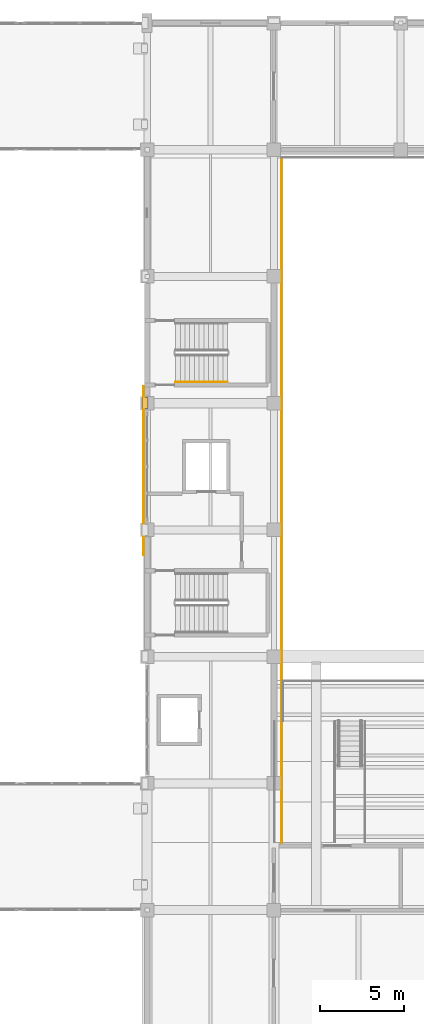
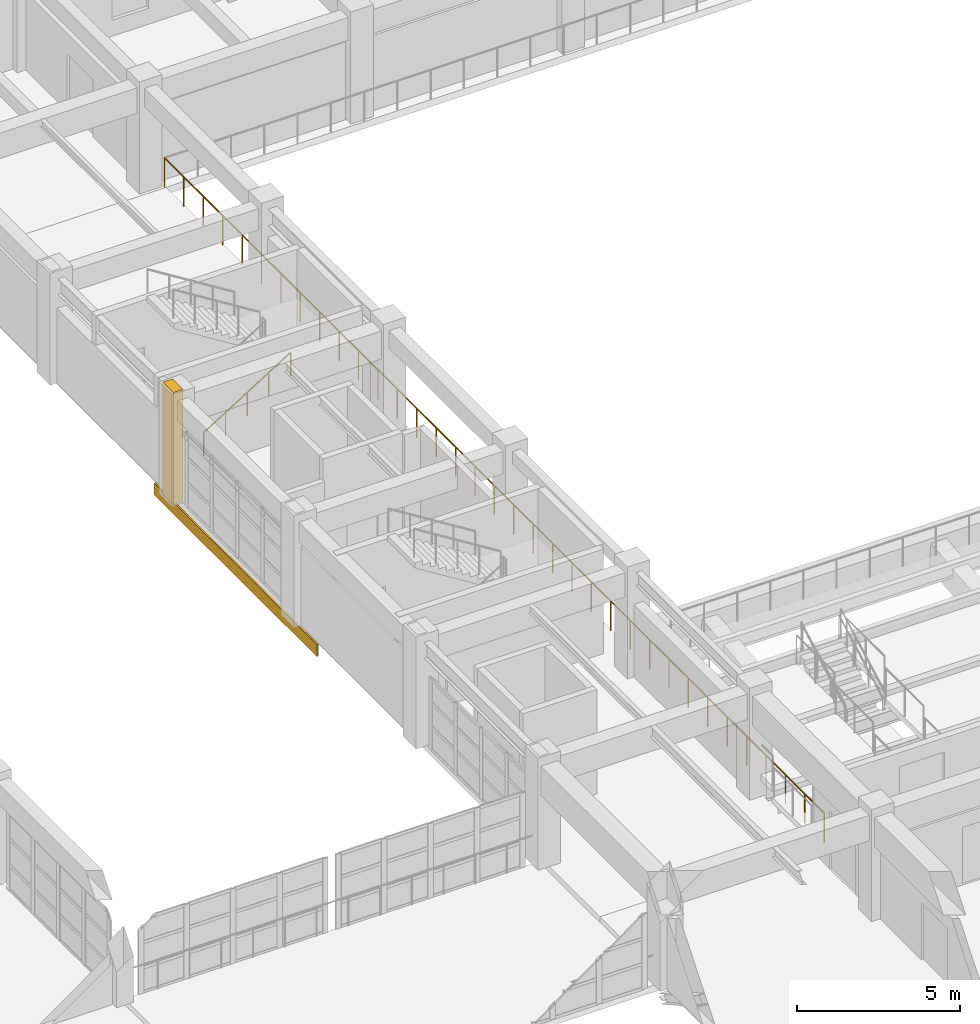
# One storey, part 113 of 124: 2 coverings, 2 railings.
"""IFC4 building model written with IfcOpenShell, lengths in metres."""

import ifcopenshell
import ifcopenshell.guid

model = None  # the IFC model being written
_history = None  # IfcOwnerHistory: only IFC2X3 demands one
_inside = {}  # id of a spatial element -> (the spatial element, [elements in it])
_under = {}  # id of a project, library or spatial element -> (it, [spatial elements below it])
_declared = {}  # id of a project -> (the project, [libraries it declares])
_typed = {}  # id of a type object -> (the type object, [elements of that type])
_made_of = {}  # id of a material, layer set ... -> (it, [elements and type objects made of it])


def new_model(schema):
    """Start an empty IFC model of exactly this schema.

    Asked for "IFC4X3", IfcOpenShell would pick the latest addendum, in which some entities
    have other attributes; the version numbers below select the first issue.
    IFC2X3 requires an IfcOwnerHistory on every rooted entity: one is made here for all.
    """
    global model, _history
    if schema == "IFC4X3":
        model = ifcopenshell.file(schema_version=(4, 3, 0, 0))
    else:
        model = ifcopenshell.file(schema=schema)
    _inside.clear()
    _under.clear()
    _declared.clear()
    _typed.clear()
    _made_of.clear()
    _history = None
    if model.schema == "IFC2X3":
        org = make("IfcOrganization", Name="unknown")
        user = make(
            "IfcPersonAndOrganization",
            ThePerson=make("IfcPerson", FamilyName="unknown"),
            TheOrganization=org,
        )
        app = make(
            "IfcApplication",
            ApplicationDeveloper=org,
            Version="unknown",
            ApplicationFullName="unknown",
            ApplicationIdentifier="unknown",
        )
        _history = make(
            "IfcOwnerHistory",
            OwningUser=user,
            OwningApplication=app,
            ChangeAction="ADDED",
            CreationDate=0,
        )
    return model


def make(cls, **values):
    """One entity of the class cls with the attributes given. An attribute that is None is left unset."""
    return model.create_entity(
        cls, **{name: value for name, value in values.items() if value is not None}
    )


def rooted(cls, **values):
    """An entity with a GlobalId (a new one), such as an element, a storey or a relation."""
    return make(cls, GlobalId=ifcopenshell.guid.new(), OwnerHistory=_history, **values)


def si_unit(unit_type, name, prefix=None):
    """IfcSIUnit, for example si_unit("LENGTHUNIT", "METRE", prefix="MILLI")."""
    return make("IfcSIUnit", UnitType=unit_type, Prefix=prefix, Name=name)


def assignment(units):
    """IfcUnitAssignment: the units of a project."""
    return None if units is None else make("IfcUnitAssignment", Units=units)


def point(xyz):
    """IfcCartesianPoint."""
    return None if xyz is None else make("IfcCartesianPoint", Coordinates=xyz)


def direction(xyz):
    """IfcDirection."""
    return None if xyz is None else make("IfcDirection", DirectionRatios=xyz)


def frame(location, z_axis=None, x_axis=None):
    """IfcAxis2Placement3D, a coordinate frame: its origin and axes. An axis left out is left unset."""
    return make(
        "IfcAxis2Placement3D",
        Location=point(location),
        Axis=direction(z_axis),
        RefDirection=direction(x_axis),
    )


def frame_2d(location, x_axis=None):
    """IfcAxis2Placement2D, a coordinate frame in the plane: its origin and x axis."""
    return make(
        "IfcAxis2Placement2D", Location=point(location), RefDirection=direction(x_axis)
    )


def origin():
    """The frame at (0, 0, 0) with its axes left unset."""
    return frame((0.0, 0.0, 0.0))


def origin_2d():
    """The frame at (0, 0) in the plane with its x axis left unset."""
    return frame_2d((0.0, 0.0))


def place(relative_to, where):
    """IfcLocalPlacement: puts the frame where relative to a parent placement (None: the world)."""
    return make(
        "IfcLocalPlacement", PlacementRelTo=relative_to, RelativePlacement=where
    )


def context(
    kind, dimensions, precision=None, world=None, true_north=None, identifier=None
):
    """IfcGeometricRepresentationContext, for example the 3D "Model" context."""
    return make(
        "IfcGeometricRepresentationContext",
        ContextIdentifier=identifier,
        ContextType=kind,
        CoordinateSpaceDimension=dimensions,
        Precision=precision,
        WorldCoordinateSystem=world,
        TrueNorth=true_north,
    )


def subcontext(parent, identifier, kind, view, scale=None):
    """IfcGeometricRepresentationSubContext, for example "Body" below "Model"."""
    return make(
        "IfcGeometricRepresentationSubContext",
        ContextIdentifier=identifier,
        ContextType=kind,
        ParentContext=parent,
        TargetScale=scale,
        TargetView=view,
    )


def project(units=None, contexts=None):
    """IfcProject with its units and contexts."""
    return rooted(
        "IfcProject",
        Name="project",
        RepresentationContexts=contexts,
        UnitsInContext=assignment(units),
    )


def spatial(cls, under=None, at=None, **own):
    """A site, building, storey or space (cls), placed at a placement, below another one or the project."""
    s = rooted(cls, ObjectPlacement=at, **own)
    if under is not None:
        _under.setdefault(under.id(), (under, []))[1].append(s)
    return s


def profile(cls, at=None, kind="AREA", **sizes):
    """A parametric profile (cls). Its sizes go by their IFC names, for example OverallWidth=200.0."""
    return make(cls, ProfileType=kind, Position=at, **sizes)


def rectangle(**sizes):
    """IfcRectangleProfileDef."""
    return profile("IfcRectangleProfileDef", **sizes)


def circle(**sizes):
    """IfcCircleProfileDef."""
    return profile("IfcCircleProfileDef", **sizes)


def extrude(swept, where, along, depth):
    """IfcExtrudedAreaSolid: the profile swept, set in the frame where, extruded along a direction by depth."""
    return make(
        "IfcExtrudedAreaSolid",
        SweptArea=swept,
        Position=where,
        ExtrudedDirection=direction(along),
        Depth=depth,
    )


def shape(context_of_items, identifier, shape_type, items):
    """IfcShapeRepresentation: the items that make up one representation, for example the "Body"."""
    return make(
        "IfcShapeRepresentation",
        ContextOfItems=context_of_items,
        RepresentationIdentifier=identifier,
        RepresentationType=shape_type,
        Items=items,
    )


def material(Name=None, Category=None):
    """IfcMaterial."""
    return make("IfcMaterial", Name=Name, Category=Category)


def layer(
    of_material, thickness, ventilated=None, Name=None, Category=None, Priority=None
):
    """IfcMaterialLayer: one layer of a wall or slab, of a material (None: an air gap)."""
    return make(
        "IfcMaterialLayer",
        Material=of_material,
        LayerThickness=thickness,
        IsVentilated=ventilated,
        Name=Name,
        Category=Category,
        Priority=Priority,
    )


def layer_set(layers, Name=None):
    """IfcMaterialLayerSet."""
    return make("IfcMaterialLayerSet", MaterialLayers=layers, LayerSetName=Name)


def made_of(thing, what):
    """Note that an element or type object is made of a material, layer set ...; save() writes the relation."""
    if what is not None:
        _made_of.setdefault(what.id(), (what, []))[1].append(thing)
    return thing


def type_object(cls, material=None, **own):
    """A type object (cls), such as IfcWallType, which elements share."""
    return made_of(rooted(cls, **own), material)


def element(
    cls,
    number,
    at=None,
    inside=None,
    cuts=None,
    type_object=None,
    material=None,
    context=None,
    identifier="Body",
    shape_type=None,
    held_by="IfcProductDefinitionShape",
    body=None,
    shapes=None,
    **own,
):
    """One element of the class cls, such as IfcWall. Its Tag is "e" and its number.

    at: its placement. inside: the storey or other place that contains it. cuts: it is an
    opening in that element (IfcRelVoidsElement). A single representation is given by context,
    identifier, shape_type and body (its items); several are given by shapes. held_by: the class
    of the entity that holds the representations. save() writes the other relations.
    """
    e = rooted(cls, Tag="e%d" % number, ObjectPlacement=at, **own)
    if body is not None:
        shapes = [shape(context, identifier, shape_type, body)]
    if shapes is not None:
        e.Representation = make(held_by, Representations=shapes)
    if inside is not None:
        _inside.setdefault(inside.id(), (inside, []))[1].append(e)
    if cuts is not None:
        rooted(
            "IfcRelVoidsElement", RelatingBuildingElement=cuts, RelatedOpeningElement=e
        )
    if type_object is not None:
        _typed.setdefault(type_object.id(), (type_object, []))[1].append(e)
    return made_of(e, material)


def aggregate(whole, parts):
    """IfcRelAggregates: a whole, such as a stair, and the parts it consists of."""
    return rooted("IfcRelAggregates", RelatingObject=whole, RelatedObjects=parts)


def save(model, path):
    """Write the relations noted so far, then the file.

    IfcRelAggregates (storeys below a building ...), IfcRelContainedInSpatialStructure (elements
    in a storey), IfcRelDefinesByType, IfcRelAssociatesMaterial and IfcRelDeclares: one each for
    every whole, place, type object, material and project.
    """
    for whole, parts in _under.values():
        aggregate(whole, parts)
    for where, things in _inside.values():
        rooted(
            "IfcRelContainedInSpatialStructure",
            RelatedElements=things,
            RelatingStructure=where,
        )
    for kind, things in _typed.values():
        rooted("IfcRelDefinesByType", RelatedObjects=things, RelatingType=kind)
    for what, things in _made_of.values():
        rooted("IfcRelAssociatesMaterial", RelatedObjects=things, RelatingMaterial=what)
    for by, libraries in _declared.values():
        rooted("IfcRelDeclares", RelatingContext=by, RelatedDefinitions=libraries)
    model.write(path)


model = new_model("IFC4")

# Units and contexts
model_context = context("Model", 3, precision=1e-05, world=origin(), true_north=direction((0.0, 1.0)))
body_context = subcontext(model_context, "Body", "Model", "MODEL_VIEW")
ifc_project = project(units=[si_unit("LENGTHUNIT", "METRE"), si_unit("AREAUNIT", "SQUARE_METRE"), si_unit("VOLUMEUNIT", "CUBIC_METRE"), si_unit("PLANEANGLEUNIT", "RADIAN"), si_unit("MASSUNIT", "GRAM", prefix="KILO")], contexts=[model_context])

# Site, building, storey
site_placement = place(None, origin())
site = spatial("IfcSite", under=ifc_project, at=site_placement, CompositionType="ELEMENT")
building_placement = place(site_placement, origin())
building = spatial("IfcBuilding", under=site, at=building_placement, Name="Qasida Concert Hall", CompositionType="ELEMENT")
storey_placement = place(building_placement, frame((0.0, 0.0, 9.0)))
storey = spatial("IfcBuildingStorey", under=building, at=storey_placement, Name="L02", CompositionType="ELEMENT", Elevation=9.0)

# Coverings
ifc_material_1 = material(Name="Glazed Levantine geometric terracotta spandrel relief", Category="masonry")
ifc_layer_1 = layer(ifc_material_1, 0.050048828125, Name="Glazed Levantine geometric terracotta spandrel relief")
ifc_layer_set_1 = layer_set([ifc_layer_1], Name="Glazed Levantine geometric terracotta spandrel relief")
covering_type_1 = type_object("IfcCoveringType", Name="CV-CL-1", PredefinedType="CLADDING", material=ifc_layer_set_1)
covering_1_placement = place(storey_placement, frame((52.300048828125, 56.0, -0.47509765625), z_axis=(0.0, 0.0, 1.0), x_axis=(1.0, 0.0, 0.0)))
element("IfcCovering", 1, at=covering_1_placement, inside=storey, type_object=covering_type_1, Name="L02 terracotta spandrel frieze W02", PredefinedType="CLADDING", context=body_context, shape_type="SweptSolid", body=[
    extrude(rectangle(XDim=0.050048828125, YDim=10.0, at=origin_2d()), origin(), (0.0, 0.0, 1.0), 0.449951171875),
])
ifc_material_2 = material(Name="Projecting fluted Lebanese limestone Art Deco pilaster", Category="masonry")
ifc_layer_2 = layer(ifc_material_2, 0.35009765625, Name="Projecting fluted Lebanese limestone Art Deco pilaster")
ifc_layer_set_2 = layer_set([ifc_layer_2], Name="Projecting fluted Lebanese limestone Art Deco pilaster")
covering_type_2 = type_object("IfcCoveringType", Name="CV-PIL-650", PredefinedType="CLADDING", material=ifc_layer_set_2)
covering_2_placement = place(storey_placement, frame((52.364990234375, 60.0, 0.0), z_axis=(0.0, 0.0, 1.0), x_axis=(1.0, 0.0, 0.0)))
element("IfcCovering", 2, at=covering_2_placement, inside=storey, type_object=covering_type_2, Name="L02 fluted limestone pilaster 0059", PredefinedType="CLADDING", context=body_context, shape_type="SweptSolid", body=[
    extrude(rectangle(XDim=0.35009765625, YDim=0.64990234375, at=origin_2d()), origin(), (0.0, 0.0, 1.0), 4.199951171875),
])

# Railings
ifc_material_3 = material(Name="Patinated architectural bronze and laminated glass infill", Category="glass")
ifc_layer_3 = layer(ifc_material_3, 0.080078125, Name="Patinated architectural bronze and laminated glass infill")
ifc_layer_set_3 = layer_set([ifc_layer_3], Name="Patinated architectural bronze and laminated glass infill")
railing_type_1 = type_object("IfcRailingType", Name="RL-GRD-1100", PredefinedType="GUARDRAIL", material=ifc_layer_set_3)
railing_1_placement = place(storey_placement, frame((60.4599609375, 34.0, 0.0)))
element("IfcRailing", 3, at=railing_1_placement, inside=storey, type_object=railing_type_1, Name="L02 Symphony L02 gallery guardrail 0088", PredefinedType="GUARDRAIL", context=body_context, shape_type="SweptSolid", body=[
    extrude(circle(Radius=0.02392578125, at=origin_2d()), frame((0.0, 0.0, 1.09619140625), z_axis=(0.0, 1.0, 0.0), x_axis=(-1.0, 0.0, 0.0)), (0.0, 0.0, 1.0), 40.5400390625),
    extrude(circle(Radius=0.02099609375, at=origin_2d()), origin(), (0.0, 0.0, 1.0), 1.072021484375),
    extrude(circle(Radius=0.02099609375, at=origin_2d()), frame((0.0, 1.1923828125, 0.0)), (0.0, 0.0, 1.0), 1.072021484375),
    extrude(circle(Radius=0.02099609375, at=origin_2d()), frame((0.0, 2.384765625, 0.0)), (0.0, 0.0, 1.0), 1.072021484375),
    extrude(circle(Radius=0.02099609375, at=origin_2d()), frame((0.0, 3.5771484375, 0.0)), (0.0, 0.0, 1.0), 1.072021484375),
    extrude(circle(Radius=0.02099609375, at=origin_2d()), frame((0.0, 4.76953125, 0.0)), (0.0, 0.0, 1.0), 1.072021484375),
    extrude(circle(Radius=0.02099609375, at=origin_2d()), frame((0.0, 5.961669921875, 0.0)), (0.0, 0.0, 1.0), 1.072021484375),
    extrude(circle(Radius=0.02099609375, at=origin_2d()), frame((0.0, 7.154052734375, 0.0)), (0.0, 0.0, 1.0), 1.072021484375),
    extrude(circle(Radius=0.02099609375, at=origin_2d()), frame((0.0, 8.346435546875, 0.0)), (0.0, 0.0, 1.0), 1.072021484375),
    extrude(circle(Radius=0.02099609375, at=origin_2d()), frame((0.0, 9.538818359375, 0.0)), (0.0, 0.0, 1.0), 1.072021484375),
    extrude(circle(Radius=0.02099609375, at=origin_2d()), frame((0.0, 10.731201171875, 0.0)), (0.0, 0.0, 1.0), 1.072021484375),
    extrude(circle(Radius=0.02099609375, at=origin_2d()), frame((0.0, 11.923583984375, 0.0)), (0.0, 0.0, 1.0), 1.072021484375),
    extrude(circle(Radius=0.02099609375, at=origin_2d()), frame((0.0, 13.115966796875, 0.0)), (0.0, 0.0, 1.0), 1.072021484375),
    extrude(circle(Radius=0.02099609375, at=origin_2d()), frame((0.0, 14.308349609375, 0.0)), (0.0, 0.0, 1.0), 1.072021484375),
    extrude(circle(Radius=0.02099609375, at=origin_2d()), frame((0.0, 15.50048828125, 0.0)), (0.0, 0.0, 1.0), 1.072021484375),
    extrude(circle(Radius=0.02099609375, at=origin_2d()), frame((0.0, 16.69287109375, 0.0)), (0.0, 0.0, 1.0), 1.072021484375),
    extrude(circle(Radius=0.02099609375, at=origin_2d()), frame((0.0, 17.88525390625, 0.0)), (0.0, 0.0, 1.0), 1.072021484375),
    extrude(circle(Radius=0.02099609375, at=origin_2d()), frame((0.0, 19.07763671875, 0.0)), (0.0, 0.0, 1.0), 1.072021484375),
    extrude(circle(Radius=0.02099609375, at=origin_2d()), frame((0.0, 20.27001953125, 0.0)), (0.0, 0.0, 1.0), 1.072021484375),
    extrude(circle(Radius=0.02099609375, at=origin_2d()), frame((0.0, 21.46240234375, 0.0)), (0.0, 0.0, 1.0), 1.072021484375),
    extrude(circle(Radius=0.02099609375, at=origin_2d()), frame((0.0, 22.65478515625, 0.0)), (0.0, 0.0, 1.0), 1.072021484375),
    extrude(circle(Radius=0.02099609375, at=origin_2d()), frame((0.0, 23.84716796875, 0.0)), (0.0, 0.0, 1.0), 1.072021484375),
    extrude(circle(Radius=0.02099609375, at=origin_2d()), frame((0.0, 25.03955078125, 0.0)), (0.0, 0.0, 1.0), 1.072021484375),
    extrude(circle(Radius=0.02099609375, at=origin_2d()), frame((0.0, 26.231689453125, 0.0)), (0.0, 0.0, 1.0), 1.072021484375),
    extrude(circle(Radius=0.02099609375, at=origin_2d()), frame((0.0, 27.424072265625, 0.0)), (0.0, 0.0, 1.0), 1.072021484375),
    extrude(circle(Radius=0.02099609375, at=origin_2d()), frame((0.0, 28.616455078125, 0.0)), (0.0, 0.0, 1.0), 1.072021484375),
    extrude(circle(Radius=0.02099609375, at=origin_2d()), frame((0.0, 29.808837890625, 0.0)), (0.0, 0.0, 1.0), 1.072021484375),
    extrude(circle(Radius=0.02099609375, at=origin_2d()), frame((0.0, 31.001220703125, 0.0)), (0.0, 0.0, 1.0), 1.072021484375),
    extrude(circle(Radius=0.02099609375, at=origin_2d()), frame((0.0, 32.193603515625, 0.0)), (0.0, 0.0, 1.0), 1.072021484375),
    extrude(circle(Radius=0.02099609375, at=origin_2d()), frame((0.0, 33.385986328125, 0.0)), (0.0, 0.0, 1.0), 1.072021484375),
    extrude(circle(Radius=0.02099609375, at=origin_2d()), frame((0.0, 34.578369140625, 0.0)), (0.0, 0.0, 1.0), 1.072021484375),
    extrude(circle(Radius=0.02099609375, at=origin_2d()), frame((0.0, 35.7705078125, 0.0)), (0.0, 0.0, 1.0), 1.072021484375),
    extrude(circle(Radius=0.02099609375, at=origin_2d()), frame((0.0, 36.962890625, 0.0)), (0.0, 0.0, 1.0), 1.072021484375),
    extrude(circle(Radius=0.02099609375, at=origin_2d()), frame((0.0, 38.1552734375, 0.0)), (0.0, 0.0, 1.0), 1.072021484375),
    extrude(circle(Radius=0.02099609375, at=origin_2d()), frame((0.0, 39.34765625, 0.0)), (0.0, 0.0, 1.0), 1.072021484375),
    extrude(circle(Radius=0.02099609375, at=origin_2d()), frame((0.0, 40.5400390625, 0.0)), (0.0, 0.0, 1.0), 1.072021484375),
])
ifc_material_4 = material(Name="Patinated tubular architectural bronze", Category="steel")
ifc_layer_4 = layer(ifc_material_4, 0.050048828125, Name="Patinated tubular architectural bronze")
ifc_layer_set_4 = layer_set([ifc_layer_4], Name="Patinated tubular architectural bronze")
railing_type_2 = type_object("IfcRailingType", Name="RL-HND-900", PredefinedType="HANDRAIL", material=ifc_layer_set_4)
railing_2_placement = place(storey_placement, frame((54.179931640625, 61.25, 0.175048828125)))
element("IfcRailing", 4, at=railing_2_placement, inside=storey, type_object=railing_type_2, Name="L02 ST-11 stair handrail 1", PredefinedType="HANDRAIL", context=body_context, shape_type="SweptSolid", body=[
    extrude(circle(Radius=0.02392578125, at=origin_2d()), frame((0.0, 0.0, 0.8759765625), z_axis=(0.847998304005, 0.0, 0.529998940003), x_axis=(0.0, 1.0, 0.0)), (0.0, 0.0, 1.0), 3.632080078125),
    extrude(circle(Radius=0.02099609375, at=origin_2d()), origin(), (0.0, 0.0, 1.0), 0.851806640625),
    extrude(circle(Radius=0.02099609375, at=origin_2d()), frame((0.77001953125, 0.0, 0.481201171875)), (0.0, 0.0, 1.0), 0.851806640625),
    extrude(circle(Radius=0.02099609375, at=origin_2d()), frame((1.5400390625, 0.0, 0.96240234375)), (0.0, 0.0, 1.0), 0.851806640625),
    extrude(circle(Radius=0.02099609375, at=origin_2d()), frame((2.31005859375, 0.0, 1.44384765625)), (0.0, 0.0, 1.0), 0.851806640625),
    extrude(circle(Radius=0.02099609375, at=origin_2d()), frame((3.080078125, 0.0, 1.925048828125)), (0.0, 0.0, 1.0), 0.851806640625),
])

save(model, "model.ifc")
